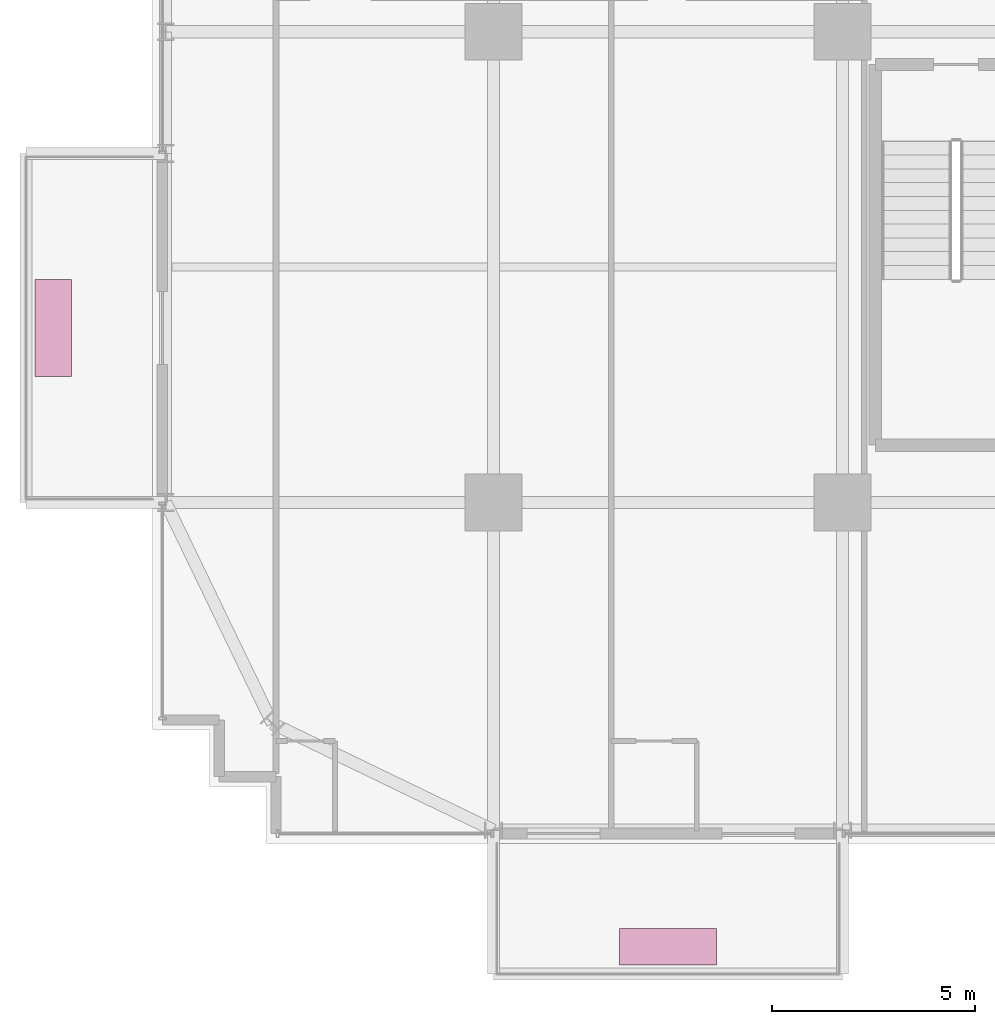
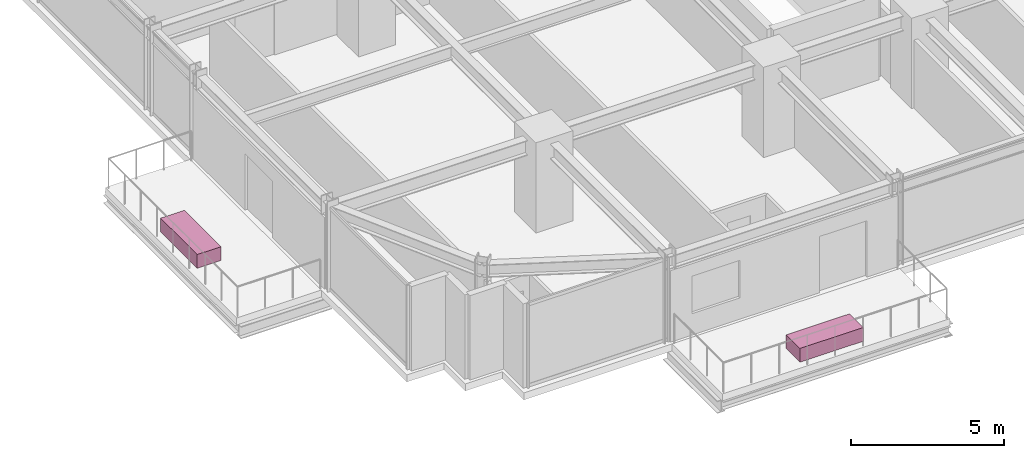
# One storey, part 37 of 37: 2 furnishings.
"""IFC4 building model written with IfcOpenShell, lengths in metres."""

from ifc_helpers import new_model, si_unit, direction, frame, origin, origin_2d, place, context, subcontext, project, spatial, rectangle, extrude, source, transform, mapped, material, type_object, element, save


model = new_model("IFC4")

# Units and contexts
model_context = context("Model", 3, precision=1e-05, world=origin(), true_north=direction((0.0, 1.0)))
body_context = subcontext(model_context, "Body", "Model", "MODEL_VIEW")
ifc_project = project(units=[si_unit("LENGTHUNIT", "METRE"), si_unit("AREAUNIT", "SQUARE_METRE"), si_unit("VOLUMEUNIT", "CUBIC_METRE"), si_unit("PLANEANGLEUNIT", "RADIAN"), si_unit("MASSUNIT", "GRAM", prefix="KILO")], contexts=[model_context])

# Site, building, storey
site_placement = place(None, origin())
site = spatial("IfcSite", under=ifc_project, at=site_placement, CompositionType="ELEMENT")
building_placement = place(site_placement, origin())
building = spatial("IfcBuilding", under=site, at=building_placement, Name="Nahalor Promenade Grand Hotel", CompositionType="ELEMENT")
storey_placement = place(building_placement, frame((0.0, 0.0, 36.050048828125)))
storey = spatial("IfcBuildingStorey", under=building, at=storey_placement, Name="L07", CompositionType="ELEMENT", Elevation=36.050048828125)

# Furnishings
ifc_material = material(Name="Vegetated Volcanic-Lapilli Tree Planter", Category="earth")
furnishing_element_type = type_object("IfcFurnishingElementType", Name="Planter-VerticalForest-Box", material=ifc_material)
shared_shape = source(origin(), body_context, "Body", "SweptSolid", [
    extrude(rectangle(XDim=2.39990234375, YDim=0.89990234375, at=origin_2d()), origin(), (0.0, 0.0, 1.0), 0.550048828125),
])
for number, where, z_axis, x_axis, name in (
    (1, (-12.699951171875, -27.949951171875, 0.0), (0.0, 0.0, 1.0), (1.0, 0.0, 0.0), "L07 Balcony Structural Tree Planter 1"),
    (2, (-27.85009765625, -12.699951171875, 0.0), (0.0, 0.0, 1.0), (0.0, 1.0, 0.0), "L07 Balcony Structural Tree Planter 2"),
):
    element("IfcFurnishingElement", number, at=place(storey_placement, frame(where, z_axis=z_axis, x_axis=x_axis)), inside=storey, type_object=furnishing_element_type, Name=name, ObjectType="PLANTER", context=body_context, shape_type="MappedRepresentation", body=[
        mapped(shared_shape, transform((0.0, 0.0, 0.0), scale=1.0)),
    ])

save(model, "model.ifc")
